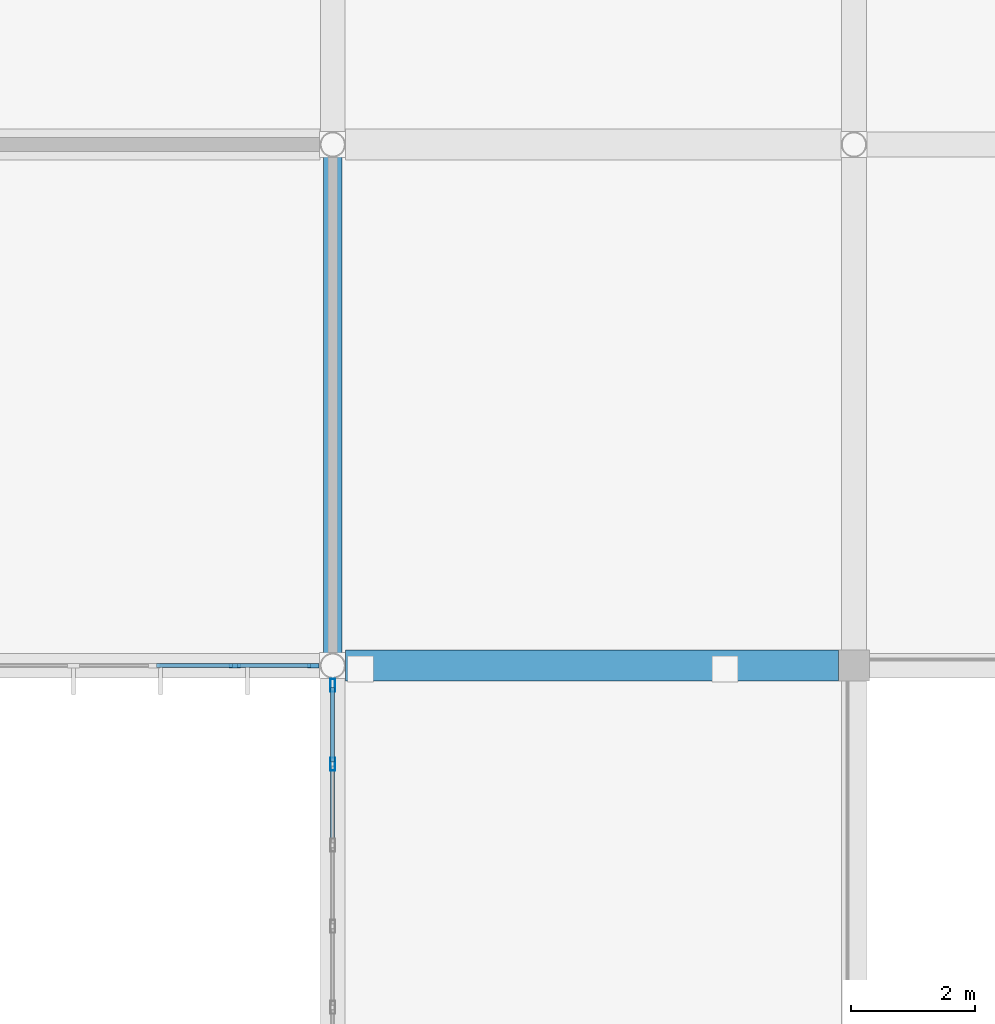
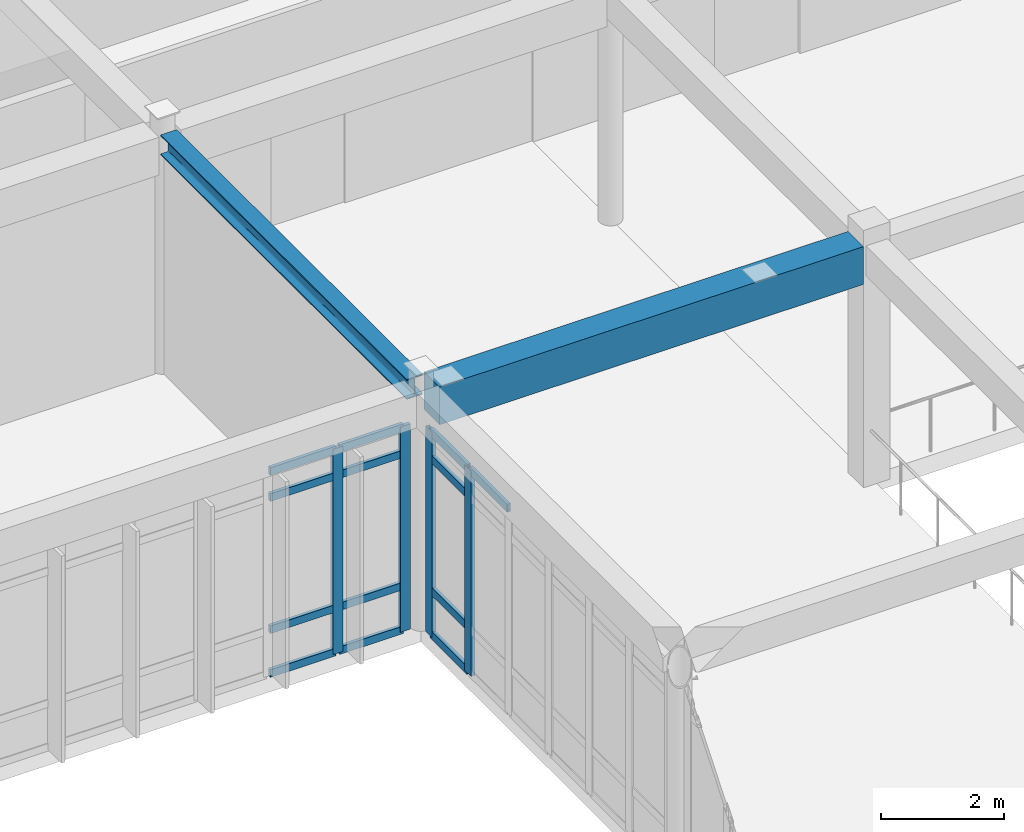
# One storey, part 17 of 134: 17 members, 2 beams, 2 elements without a shape of their own.
"""IFC4 building model written with IfcOpenShell, lengths in metres."""

from ifc_helpers import new_model, si_unit, direction, frame, origin, origin_2d, place, context, subcontext, project, spatial, rectangle, hollow_rectangle, i_section, extrude, material, layer, layer_set, material_profile, profile_set, type_object, element, aggregate, save


model = new_model("IFC4")

# Units and contexts
model_context = context("Model", 3, precision=1e-05, world=origin(), true_north=direction((0.0, 1.0)))
body_context = subcontext(model_context, "Body", "Model", "MODEL_VIEW")
ifc_project = project(units=[si_unit("LENGTHUNIT", "METRE"), si_unit("AREAUNIT", "SQUARE_METRE"), si_unit("VOLUMEUNIT", "CUBIC_METRE"), si_unit("PLANEANGLEUNIT", "RADIAN"), si_unit("MASSUNIT", "GRAM", prefix="KILO")], contexts=[model_context])

# Site, building, storey
site_placement = place(None, origin())
site = spatial("IfcSite", under=ifc_project, at=site_placement, CompositionType="ELEMENT")
building_placement = place(site_placement, origin())
building = spatial("IfcBuilding", under=site, at=building_placement, Name="Bramfleet General Hospital", CompositionType="ELEMENT")
storey_placement = place(building_placement, frame((0.0, 0.0, 9.300048828125)))
storey = spatial("IfcBuildingStorey", under=building, at=storey_placement, Name="L02", CompositionType="ELEMENT", Elevation=9.300048828125)

# Beams
ifc_material_1 = material(Name="Steel S355", Category="steel")
ifc_material_profile_1 = material_profile(ifc_material_1, i_section(OverallWidth=0.300048828125, OverallDepth=0.39990234375, WebThickness=0.013427734375, FlangeThickness=0.02392578125, FilletRadius=0.027099609375, at=origin_2d()), Name="HEB 400")
ifc_profile_set_1 = profile_set([ifc_material_profile_1], Name="Steel S355")
beam_type_1 = type_object("IfcBeamType", Name="BM-HEB400", PredefinedType="BEAM", material=ifc_profile_set_1)
beam_1_placement = place(storey_placement, frame((50.39990234375, 50.603271484375, 4.579833984375), z_axis=(0.0, 1.0, 0.0), x_axis=(-1.0, 0.0, 0.0)))
element("IfcBeam", 1, at=beam_1_placement, inside=storey, type_object=beam_type_1, Name="L02 Grid Beam Y 06-06", PredefinedType="BEAM", context=body_context, shape_type="SweptSolid", body=[
    extrude(i_section(OverallWidth=0.300048828125, OverallDepth=0.39990234375, WebThickness=0.013427734375, FlangeThickness=0.02392578125, FilletRadius=0.027099609375, at=origin_2d()), origin(), (0.0, 0.0, 1.0), 7.993408203125),
])
ifc_material_2 = material(Name="Concrete C35/45", Category="concrete")
ifc_material_profile_2 = material_profile(ifc_material_2, rectangle(XDim=0.5, YDim=0.75, at=origin_2d()), Name="RC BM 750x500")
ifc_profile_set_2 = profile_set([ifc_material_profile_2], Name="Concrete C35/45")
beam_type_2 = type_object("IfcBeamType", Name="BM-RC750", PredefinedType="BEAM", material=ifc_profile_set_2)
beam_2_placement = place(storey_placement, frame((50.603271484375, 50.39990234375, 4.405029296875), z_axis=(1.0, 0.0, 0.0), x_axis=(0.0, 1.0, 0.0)))
element("IfcBeam", 2, at=beam_2_placement, inside=storey, type_object=beam_type_2, Name="L02 Grid Beam X 06-06", PredefinedType="BEAM", context=body_context, shape_type="SweptSolid", body=[
    extrude(rectangle(XDim=0.5, YDim=0.75, at=origin_2d()), origin(), (0.0, 0.0, 1.0), 7.94677734375),
])

# Curtain wall, members
ifc_material_3 = material(Name="Anodised aluminium and low-E triple glazing", Category="aluminium")
ifc_layer_1 = layer(ifc_material_3, 0.179931640625, Name="CWT-CW-11")
ifc_layer_set_1 = layer_set([ifc_layer_1], Name="Anodised aluminium and low-E triple glazing")
curtain_wall_type_1 = type_object("IfcCurtainWallType", Name="CWT-CW-11", PredefinedType="USERDEFINED", material=ifc_layer_set_1)
curtain_wall_1_placement = place(storey_placement, origin())
curtain_wall_1 = element("IfcCurtainWall", 3, at=curtain_wall_1_placement, inside=storey, type_object=curtain_wall_type_1, Name="L02 Curtain Wall 137", ObjectType="Stick curtain wall", PredefinedType="USERDEFINED")
ifc_material_4 = material(Name="Anodised aluminium EN AW-6060", Category="aluminium")
ifc_material_profile_3 = material_profile(ifc_material_4, hollow_rectangle(XDim=0.074951171875, YDim=0.2099609375, WallThickness=0.00439453125, at=origin_2d()), Name="ALU 210x75x4.5")
ifc_profile_set_3 = profile_set([ifc_material_profile_3], Name="Anodised aluminium EN AW-6060")
member_type_1 = type_object("IfcMemberType", Name="CWM-ALU210", PredefinedType="MULLION", material=ifc_profile_set_3)
member_1_placement = place(storey_placement, frame((50.39990234375, 48.814697265625, 0.0), z_axis=(0.0, 0.0, 1.0), x_axis=(-1.0, 0.0, 0.0)))
member_1 = element("IfcMember", 4, at=member_1_placement, type_object=member_type_1, Name="CW-11 mullion 6", PredefinedType="MULLION", context=body_context, shape_type="SweptSolid", body=[
    extrude(hollow_rectangle(XDim=0.074951171875, YDim=0.2099609375, WallThickness=0.00439453125, at=origin_2d()), origin(), (0.0, 0.0, 1.0), 4.070068359375),
])
member_2_placement = place(storey_placement, frame((50.39990234375, 50.08447265625, 0.0), z_axis=(0.0, 0.0, 1.0), x_axis=(-1.0, 0.0, 0.0)))
member_2 = element("IfcMember", 5, at=member_2_placement, type_object=member_type_1, Name="CW-11 mullion 7", PredefinedType="MULLION", context=body_context, shape_type="SweptSolid", body=[
    extrude(hollow_rectangle(XDim=0.074951171875, YDim=0.2099609375, WallThickness=0.00439453125, at=origin_2d()), origin(), (0.0, 0.0, 1.0), 4.070068359375),
])

ifc_layer_2 = layer(ifc_material_3, 0.179931640625, Name="CWT-CW-12")
ifc_layer_set_2 = layer_set([ifc_layer_2], Name="Anodised aluminium and low-E triple glazing")
curtain_wall_type_2 = type_object("IfcCurtainWallType", Name="CWT-CW-12", PredefinedType="USERDEFINED", material=ifc_layer_set_2)
curtain_wall_2_placement = place(storey_placement, origin())
curtain_wall_2 = element("IfcCurtainWall", 6, at=curtain_wall_2_placement, inside=storey, type_object=curtain_wall_type_2, Name="L02 Curtain Wall 138", ObjectType="Stick curtain wall", PredefinedType="USERDEFINED")
ifc_material_5 = material(Name="Structural timber GL28h", Category="wood")
ifc_material_profile_4 = material_profile(ifc_material_5, rectangle(XDim=0.070068359375, YDim=0.18994140625, at=origin_2d()), Name="LARCH 190x70")
ifc_profile_set_4 = profile_set([ifc_material_profile_4], Name="Structural timber GL28h")
member_type_2 = type_object("IfcMemberType", Name="CWM-LARCH450", PredefinedType="MULLION", material=ifc_profile_set_4)
member_3_placement = place(storey_placement, frame((50.0869140625, 50.39990234375, 0.0), z_axis=(0.0, 0.0, 1.0), x_axis=(0.0, -1.0, 0.0)))
member_3 = element("IfcMember", 7, at=member_3_placement, type_object=member_type_2, Name="CW-12 mullion 1", PredefinedType="MULLION", context=body_context, shape_type="SweptSolid", body=[
    extrude(rectangle(XDim=0.070068359375, YDim=0.18994140625, at=origin_2d()), origin(), (0.0, 0.0, 1.0), 4.070068359375),
])
member_4_placement = place(storey_placement, frame((48.822509765625, 50.39990234375, 0.0), z_axis=(0.0, 0.0, 1.0), x_axis=(0.0, -1.0, 0.0)))
member_4 = element("IfcMember", 8, at=member_4_placement, type_object=member_type_2, Name="CW-12 mullion 2", PredefinedType="MULLION", context=body_context, shape_type="SweptSolid", body=[
    extrude(rectangle(XDim=0.070068359375, YDim=0.18994140625, at=origin_2d()), origin(), (0.0, 0.0, 1.0), 4.070068359375),
])

# Member
ifc_material_profile_5 = material_profile(ifc_material_4, hollow_rectangle(XDim=0.06494140625, YDim=0.159912109375, WallThickness=0.00390625, at=origin_2d()), Name="ALU 160x65x4.0")
ifc_profile_set_5 = profile_set([ifc_material_profile_5], Name="Anodised aluminium EN AW-6060")
member_type_3 = type_object("IfcMemberType", Name="CWT-ALU160", PredefinedType="USERDEFINED", material=ifc_profile_set_5)
member_5_placement = place(storey_placement, frame((50.39990234375, 47.544921875, 4.037353515625), z_axis=(0.0, 1.0, 0.0), x_axis=(-1.0, 0.0, 0.0)))
member_5 = element("IfcMember", 9, at=member_5_placement, type_object=member_type_3, Name="CW-11 transom 5.4", ObjectType="TRANSOM", PredefinedType="USERDEFINED", context=body_context, shape_type="SweptSolid", body=[
    extrude(hollow_rectangle(XDim=0.06494140625, YDim=0.159912109375, WallThickness=0.00390625, at=origin_2d()), origin(), (0.0, 0.0, 1.0), 1.232177734375),
])

member_6_placement = place(storey_placement, frame((50.39990234375, 48.85205078125, 0.032470703125), z_axis=(0.0, 1.0, 0.0), x_axis=(-1.0, 0.0, 0.0)))
member_6 = element("IfcMember", 10, at=member_6_placement, type_object=member_type_3, Name="CW-11 transom 6.1", ObjectType="TRANSOM", PredefinedType="USERDEFINED", context=body_context, shape_type="SweptSolid", body=[
    extrude(hollow_rectangle(XDim=0.06494140625, YDim=0.159912109375, WallThickness=0.00390625, at=origin_2d()), origin(), (0.0, 0.0, 1.0), 1.195068359375),
])

member_7_placement = place(storey_placement, frame((50.39990234375, 48.85205078125, 0.89990234375), z_axis=(0.0, 1.0, 0.0), x_axis=(-1.0, 0.0, 0.0)))
member_7 = element("IfcMember", 11, at=member_7_placement, type_object=member_type_3, Name="CW-11 transom 6.2", ObjectType="TRANSOM", PredefinedType="USERDEFINED", context=body_context, shape_type="SweptSolid", body=[
    extrude(hollow_rectangle(XDim=0.06494140625, YDim=0.159912109375, WallThickness=0.00390625, at=origin_2d()), origin(), (0.0, 0.0, 1.0), 1.195068359375),
])

member_8_placement = place(storey_placement, frame((50.39990234375, 48.85205078125, 3.52001953125), z_axis=(0.0, 1.0, 0.0), x_axis=(-1.0, 0.0, 0.0)))
member_8 = element("IfcMember", 12, at=member_8_placement, type_object=member_type_3, Name="CW-11 transom 6.3", ObjectType="TRANSOM", PredefinedType="USERDEFINED", context=body_context, shape_type="SweptSolid", body=[
    extrude(hollow_rectangle(XDim=0.06494140625, YDim=0.159912109375, WallThickness=0.00390625, at=origin_2d()), origin(), (0.0, 0.0, 1.0), 1.195068359375),
])

member_9_placement = place(storey_placement, frame((50.39990234375, 48.85205078125, 4.037353515625), z_axis=(0.0, 1.0, 0.0), x_axis=(-1.0, 0.0, 0.0)))
member_9 = element("IfcMember", 13, at=member_9_placement, type_object=member_type_3, Name="CW-11 transom 6.4", ObjectType="TRANSOM", PredefinedType="USERDEFINED", context=body_context, shape_type="SweptSolid", body=[
    extrude(hollow_rectangle(XDim=0.06494140625, YDim=0.159912109375, WallThickness=0.00390625, at=origin_2d()), origin(), (0.0, 0.0, 1.0), 1.195068359375),
])

aggregate(curtain_wall_1, [member_1, member_2, member_5, member_6, member_7, member_8, member_9])

ifc_material_profile_6 = material_profile(ifc_material_5, rectangle(XDim=0.06494140625, YDim=0.14990234375, at=origin_2d()), Name="LARCH 150x65")
ifc_profile_set_6 = profile_set([ifc_material_profile_6], Name="Structural timber GL28h")
member_type_4 = type_object("IfcMemberType", Name="CWT-LARCH220", PredefinedType="USERDEFINED", material=ifc_profile_set_6)
member_10_placement = place(storey_placement, frame((50.052001953125, 50.39990234375, 0.032470703125), z_axis=(-1.0, 0.0, 0.0), x_axis=(0.0, -1.0, 0.0)))
member_10 = element("IfcMember", 14, at=member_10_placement, type_object=member_type_4, Name="CW-12 transom 1.1", ObjectType="TRANSOM", PredefinedType="USERDEFINED", context=body_context, shape_type="SweptSolid", body=[
    extrude(rectangle(XDim=0.06494140625, YDim=0.14990234375, at=origin_2d()), origin(), (0.0, 0.0, 1.0), 1.194580078125),
])

member_11_placement = place(storey_placement, frame((50.052001953125, 50.39990234375, 0.89990234375), z_axis=(-1.0, 0.0, 0.0), x_axis=(0.0, -1.0, 0.0)))
member_11 = element("IfcMember", 15, at=member_11_placement, type_object=member_type_4, Name="CW-12 transom 1.2", ObjectType="TRANSOM", PredefinedType="USERDEFINED", context=body_context, shape_type="SweptSolid", body=[
    extrude(rectangle(XDim=0.06494140625, YDim=0.14990234375, at=origin_2d()), origin(), (0.0, 0.0, 1.0), 1.194580078125),
])

member_12_placement = place(storey_placement, frame((50.052001953125, 50.39990234375, 3.52001953125), z_axis=(-1.0, 0.0, 0.0), x_axis=(0.0, -1.0, 0.0)))
member_12 = element("IfcMember", 16, at=member_12_placement, type_object=member_type_4, Name="CW-12 transom 1.3", ObjectType="TRANSOM", PredefinedType="USERDEFINED", context=body_context, shape_type="SweptSolid", body=[
    extrude(rectangle(XDim=0.06494140625, YDim=0.14990234375, at=origin_2d()), origin(), (0.0, 0.0, 1.0), 1.194580078125),
])

member_13_placement = place(storey_placement, frame((50.052001953125, 50.39990234375, 4.037353515625), z_axis=(-1.0, 0.0, 0.0), x_axis=(0.0, -1.0, 0.0)))
member_13 = element("IfcMember", 17, at=member_13_placement, type_object=member_type_4, Name="CW-12 transom 1.4", ObjectType="TRANSOM", PredefinedType="USERDEFINED", context=body_context, shape_type="SweptSolid", body=[
    extrude(rectangle(XDim=0.06494140625, YDim=0.14990234375, at=origin_2d()), origin(), (0.0, 0.0, 1.0), 1.194580078125),
])

member_14_placement = place(storey_placement, frame((48.78759765625, 50.39990234375, 0.032470703125), z_axis=(-1.0, 0.0, 0.0), x_axis=(0.0, -1.0, 0.0)))
member_14 = element("IfcMember", 18, at=member_14_placement, type_object=member_type_4, Name="CW-12 transom 2.1", ObjectType="TRANSOM", PredefinedType="USERDEFINED", context=body_context, shape_type="SweptSolid", body=[
    extrude(rectangle(XDim=0.06494140625, YDim=0.14990234375, at=origin_2d()), origin(), (0.0, 0.0, 1.0), 1.2294921875),
])

member_15_placement = place(storey_placement, frame((48.78759765625, 50.39990234375, 0.89990234375), z_axis=(-1.0, 0.0, 0.0), x_axis=(0.0, -1.0, 0.0)))
member_15 = element("IfcMember", 19, at=member_15_placement, type_object=member_type_4, Name="CW-12 transom 2.2", ObjectType="TRANSOM", PredefinedType="USERDEFINED", context=body_context, shape_type="SweptSolid", body=[
    extrude(rectangle(XDim=0.06494140625, YDim=0.14990234375, at=origin_2d()), origin(), (0.0, 0.0, 1.0), 1.2294921875),
])

member_16_placement = place(storey_placement, frame((48.78759765625, 50.39990234375, 3.52001953125), z_axis=(-1.0, 0.0, 0.0), x_axis=(0.0, -1.0, 0.0)))
member_16 = element("IfcMember", 20, at=member_16_placement, type_object=member_type_4, Name="CW-12 transom 2.3", ObjectType="TRANSOM", PredefinedType="USERDEFINED", context=body_context, shape_type="SweptSolid", body=[
    extrude(rectangle(XDim=0.06494140625, YDim=0.14990234375, at=origin_2d()), origin(), (0.0, 0.0, 1.0), 1.2294921875),
])

member_17_placement = place(storey_placement, frame((48.78759765625, 50.39990234375, 4.037353515625), z_axis=(-1.0, 0.0, 0.0), x_axis=(0.0, -1.0, 0.0)))
member_17 = element("IfcMember", 21, at=member_17_placement, type_object=member_type_4, Name="CW-12 transom 2.4", ObjectType="TRANSOM", PredefinedType="USERDEFINED", context=body_context, shape_type="SweptSolid", body=[
    extrude(rectangle(XDim=0.06494140625, YDim=0.14990234375, at=origin_2d()), origin(), (0.0, 0.0, 1.0), 1.2294921875),
])

aggregate(curtain_wall_2, [member_3, member_4, member_10, member_11, member_12, member_13, member_14, member_15, member_16, member_17])

save(model, "model.ifc")
